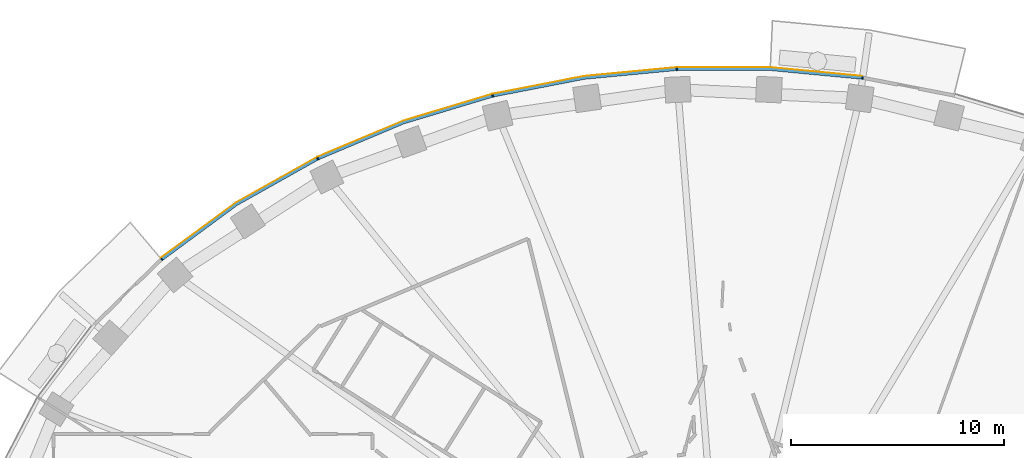
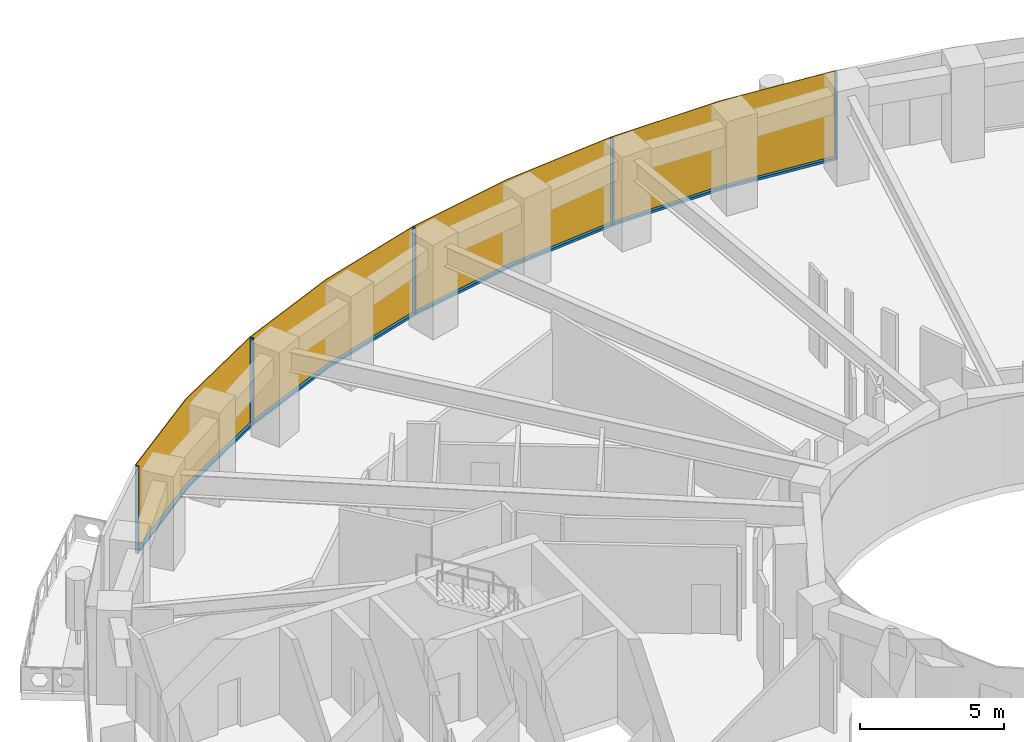
# One storey, part 11 of 16: 9 members, 1 curtain wall.
"""IFC4 building model written with IfcOpenShell, lengths in metres."""

from ifc_helpers import new_model, si_unit, direction, frame, origin, origin_2d, place, context, subcontext, project, spatial, polyline, rectangle, outline, extrude, material, layer, layer_set, material_profile, profile_set, type_object, element, aggregate, save


model = new_model("IFC4")

# Units and contexts
model_context = context("Model", 3, precision=1e-05, world=origin(), true_north=direction((0.0, 1.0)))
body_context = subcontext(model_context, "Body", "Model", "MODEL_VIEW")
ifc_project = project(units=[si_unit("LENGTHUNIT", "METRE"), si_unit("AREAUNIT", "SQUARE_METRE"), si_unit("VOLUMEUNIT", "CUBIC_METRE"), si_unit("PLANEANGLEUNIT", "RADIAN"), si_unit("MASSUNIT", "GRAM", prefix="KILO")], contexts=[model_context])

# Member
ifc_material_1 = material(Name="Aluminium 6063-T6 black anodised", Category="aluminium")
ifc_material_profile = material_profile(ifc_material_1, rectangle(XDim=0.1201171875, YDim=0.06005859375, at=origin_2d()), Name="120x60")
ifc_profile_set = profile_set([ifc_material_profile], Name="Aluminium 6063-T6 black anodised")
member_type_1 = type_object("IfcMemberType", Name="ENV-MULLION-A-120", PredefinedType="MULLION", material=ifc_profile_set)
site_placement = place(None, origin())
building_placement = place(site_placement, origin())
storey_placement = place(building_placement, frame((0.0, 0.0, 154.0)))
member_1_placement = place(storey_placement, frame((6.54638671875, 27.440185546875, 0.0), z_axis=(0.0, 0.0, 1.0), x_axis=(-0.143082012705, -0.989710835366, 0.0)))
member_1 = element("IfcMember", 1, at=member_1_placement, type_object=member_type_1, Name="Mullion A radial 11", PredefinedType="MULLION", context=body_context, shape_type="SweptSolid", body=[
    extrude(rectangle(XDim=0.1201171875, YDim=0.06005859375, at=origin_2d()), origin(), (0.0, 0.0, 1.0), 3.699951171875),
])

member_2_placement = place(storey_placement, frame((-2.188720703125, 27.856201171875, 0.0), z_axis=(0.0, 0.0, 1.0), x_axis=(0.047557873581, -0.998868484166, 0.0)))
member_2 = element("IfcMember", 2, at=member_2_placement, type_object=member_type_1, Name="Mullion A radial 13", PredefinedType="MULLION", context=body_context, shape_type="SweptSolid", body=[
    extrude(rectangle(XDim=0.1201171875, YDim=0.06005859375, at=origin_2d()), origin(), (0.0, 0.0, 1.0), 3.699951171875),
])

member_3_placement = place(storey_placement, frame((-10.84326171875, 26.60498046875, 0.0), z_axis=(0.0, 0.0, 1.0), x_axis=(0.239799081534, -0.970822538106, 0.0)))
member_3 = element("IfcMember", 3, at=member_3_placement, type_object=member_type_1, Name="Mullion A radial 15", PredefinedType="MULLION", context=body_context, shape_type="SweptSolid", body=[
    extrude(rectangle(XDim=0.1201171875, YDim=0.06005859375, at=origin_2d()), origin(), (0.0, 0.0, 1.0), 3.699951171875),
])

member_4_placement = place(storey_placement, frame((-19.06787109375, 23.6474609375, 0.0), z_axis=(0.0, 0.0, 1.0), x_axis=(0.439237769837, -0.898370848563, 0.0)))
member_4 = element("IfcMember", 4, at=member_4_placement, type_object=member_type_1, Name="Mullion A radial 17", PredefinedType="MULLION", context=body_context, shape_type="SweptSolid", body=[
    extrude(rectangle(XDim=0.1201171875, YDim=0.06005859375, at=origin_2d()), origin(), (0.0, 0.0, 1.0), 3.699951171875),
])

member_5_placement = place(storey_placement, frame((-26.403564453125, 18.9130859375, 0.0), z_axis=(0.0, 0.0, 1.0), x_axis=(0.646451313783, -0.762955240435, 0.0)))
member_5 = element("IfcMember", 5, at=member_5_placement, type_object=member_type_1, Name="Mullion A radial 19", PredefinedType="MULLION", context=body_context, shape_type="SweptSolid", body=[
    extrude(rectangle(XDim=0.1201171875, YDim=0.06005859375, at=origin_2d()), origin(), (0.0, 0.0, 1.0), 3.699951171875),
])

ifc_material_2 = material(Name="Aluminium 6063-T6 black anodised", Category="aluminium")
member_type_2 = type_object("IfcMemberType", Name="ENV-TRANSOM-A", PredefinedType="USERDEFINED", material=ifc_material_2)
member_6_placement = place(storey_placement, origin())
member_6 = element("IfcMember", 6, at=member_6_placement, type_object=member_type_2, Name="Transom A radial 11-13", ObjectType="TRANSOM", PredefinedType="USERDEFINED", context=body_context, shape_type="SweptSolid", body=[
    extrude(outline(polyline([(6.527099609375, 27.502197265625), (2.191650390625, 27.916015625), (-2.163818359375, 27.916015625), (-2.157958984375, 27.7958984375), (2.185791015625, 27.7958984375), (6.510009765625, 27.38330078125), (6.527099609375, 27.502197265625)])), origin(), (0.0, 0.0, 1.0), 0.10009765625),
])

member_7_placement = place(storey_placement, origin())
member_7 = element("IfcMember", 7, at=member_7_placement, type_object=member_type_2, Name="Transom A radial 13-15", ObjectType="TRANSOM", PredefinedType="USERDEFINED", context=body_context, shape_type="SweptSolid", body=[
    extrude(outline(polyline([(-2.219482421875, 27.913330078125), (-6.55517578125, 27.49951171875), (-10.830078125, 26.66845703125), (-10.80126953125, 26.552001953125), (-6.537841796875, 27.380615234375), (-2.2138671875, 27.793212890625), (-2.219482421875, 27.913330078125)])), origin(), (0.0, 0.0, 1.0), 0.10009765625),
])

member_8_placement = place(storey_placement, origin())
member_8 = element("IfcMember", 8, at=member_8_placement, type_object=member_type_2, Name="Transom A radial 15-17", ObjectType="TRANSOM", PredefinedType="USERDEFINED", context=body_context, shape_type="SweptSolid", body=[
    extrude(outline(polyline([(-10.884521484375, 26.655029296875), (-15.054443359375, 25.400146484375), (-19.068359375, 23.71240234375), (-19.015380859375, 23.604248046875), (-15.013916015625, 25.287109375), (-10.855712890625, 26.53857421875), (-10.884521484375, 26.655029296875)])), origin(), (0.0, 0.0, 1.0), 0.10009765625),
])

member_9_placement = place(storey_placement, origin())
member_9 = element("IfcMember", 9, at=member_9_placement, type_object=member_type_2, Name="Transom A radial 17-19", ObjectType="TRANSOM", PredefinedType="USERDEFINED", context=body_context, shape_type="SweptSolid", body=[
    extrude(outline(polyline([(-19.11865234375, 23.687744140625), (-22.9150390625, 21.556884765625), (-26.419921875, 18.975341796875), (-26.342041015625, 18.883544921875), (-22.85009765625, 21.455810546875), (-19.06591796875, 23.57958984375), (-19.11865234375, 23.687744140625)])), origin(), (0.0, 0.0, 1.0), 0.10009765625),
])

# Site, building, storey
site = spatial("IfcSite", under=ifc_project, at=site_placement, CompositionType="ELEMENT")
building = spatial("IfcBuilding", under=site, at=building_placement, Name="Noorbagh Ring Tower", CompositionType="ELEMENT")
storey = spatial("IfcBuildingStorey", under=building, at=storey_placement, Name="L35", CompositionType="ELEMENT", Elevation=154.0)

# Curtain wall
ifc_material_3 = material(Name="Glass dark tinted laminated", Category="glass")
ifc_layer = layer(ifc_material_3, 0.031982421875)
ifc_layer_set = layer_set([ifc_layer], Name="Glass dark tinted laminated")
curtain_wall_type = type_object("IfcCurtainWallType", Name="ENV-CW-A", PredefinedType="NOTDEFINED", material=ifc_layer_set)
curtain_wall_placement = place(storey_placement, origin())
curtain_wall = element("IfcCurtainWall", 10, at=curtain_wall_placement, inside=storey, type_object=curtain_wall_type, Name="Curtain wall A R11", PredefinedType="NOTDEFINED", context=body_context, shape_type="SweptSolid", body=[
    extrude(outline(polyline([(6.539794921875, 27.533203125), (2.193115234375, 27.947998046875), (-2.193115234375, 27.947998046875), (-6.559814453125, 27.53125), (-10.865234375, 26.6943359375), (-15.065185546875, 25.430419921875), (-19.108154296875, 23.730224609375), (-22.9326171875, 21.583740234375), (-26.447021484375, 18.9951171875), (-26.42626953125, 18.970703125), (-22.9150390625, 21.556884765625), (-19.093994140625, 23.701416015625), (-15.054443359375, 25.400146484375), (-10.857666015625, 26.6630859375), (-6.55517578125, 27.49951171875), (-2.191650390625, 27.916015625), (2.191650390625, 27.916015625), (6.53515625, 27.50146484375), (6.539794921875, 27.533203125)])), origin(), (0.0, 0.0, 1.0), 3.699951171875),
])

aggregate(curtain_wall, [member_1, member_2, member_3, member_4, member_5, member_6, member_7, member_8, member_9])

save(model, "model.ifc")
